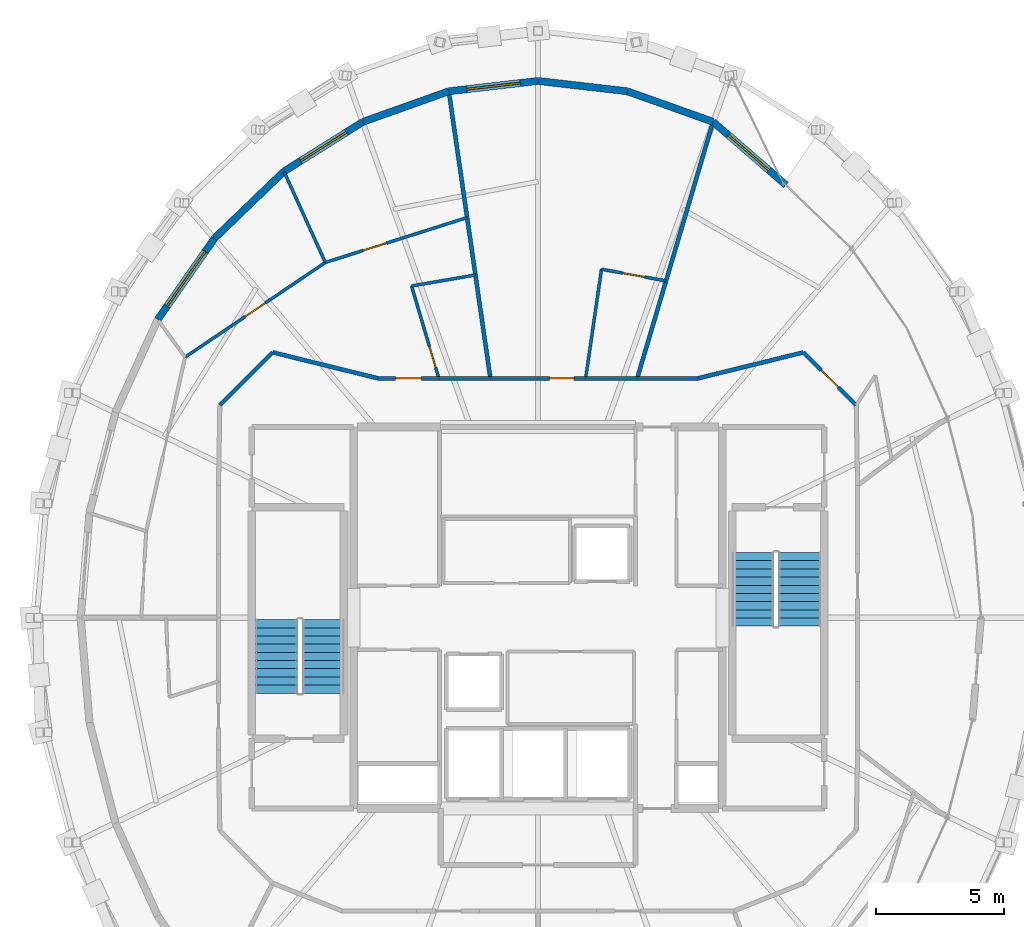
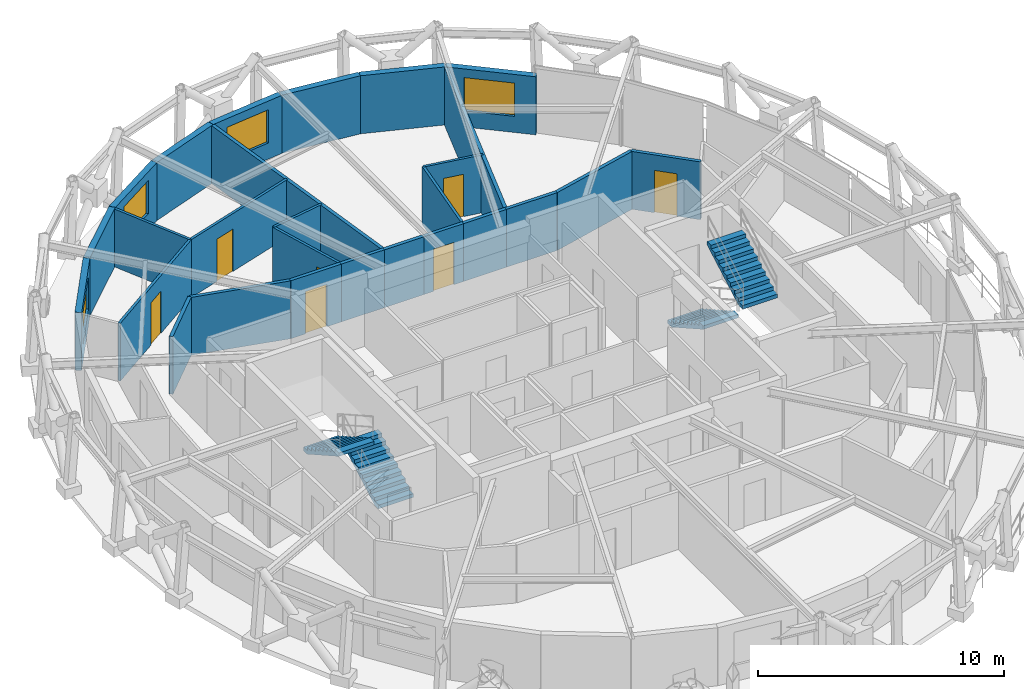
# One storey, part 14 of 15: 27 walls, 7 doors, 4 stair flights, 4 windows, 11 openings, 2 elements without a shape of their own.
"""IFC4 building model written with IfcOpenShell, lengths in metres."""

from ifc_helpers import new_model, si_unit, direction, frame, frame_2d, origin, place, context, subcontext, project, spatial, polyline, rectangle, outline, extrude, material, layer, layer_set, type_object, element, fill, aggregate, save


model = new_model("IFC4")

# Units and contexts
model_context = context("Model", 3, precision=1e-05, world=origin(), true_north=direction((0.0, 1.0)))
body_context = subcontext(model_context, "Body", "Model", "MODEL_VIEW")
ifc_project = project(units=[si_unit("LENGTHUNIT", "METRE"), si_unit("AREAUNIT", "SQUARE_METRE"), si_unit("VOLUMEUNIT", "CUBIC_METRE"), si_unit("PLANEANGLEUNIT", "RADIAN"), si_unit("MASSUNIT", "GRAM", prefix="KILO")], contexts=[model_context])

# Site, building, storey
site_placement = place(None, origin())
site = spatial("IfcSite", under=ifc_project, at=site_placement, CompositionType="ELEMENT")
building_placement = place(site_placement, origin())
building = spatial("IfcBuilding", under=site, at=building_placement, Name="Veldorina Hangang Commons", CompositionType="ELEMENT")
storey_placement = place(building_placement, frame((0.0, 0.0, 290.39990234375)))
storey = spatial("IfcBuildingStorey", under=building, at=storey_placement, Name="L76", CompositionType="ELEMENT", Elevation=290.39990234375)

# Wall, opening, window
ifc_material_1 = material(Name="Stone Roman Travertine", Category="masonry")
ifc_layer_1 = layer(ifc_material_1, 0.280029296875)
ifc_layer_set_1 = layer_set([ifc_layer_1], Name="Stone Roman Travertine")
wall_type_1 = type_object("IfcWallType", Name="EW-TRAV-280", PredefinedType="STANDARD", material=ifc_layer_set_1)
wall_1_placement = place(storey_placement, frame((41.681640625, 40.9052734375, 0.0), z_axis=(0.0, 0.0, 1.0), x_axis=(-0.756185346013, 0.654357488286, 0.0)))
wall_1 = element("IfcWall", 1, at=wall_1_placement, inside=storey, type_object=wall_type_1, Name="L76 travertine facade wall 05", PredefinedType="STANDARD", context=body_context, shape_type="SweptSolid", body=[
    extrude(rectangle(XDim=3.76416015625, YDim=0.280029296875, at=frame_2d((1.882080078125, 0.0))), origin(), (0.0, 0.0, 1.0), 2.880126953125),
])
opening_1_placement = place(wall_1_placement, frame((0.878173828125, 0.0, 0.800048828125)))
opening_1 = element("IfcOpeningElement", 2, at=opening_1_placement, cuts=wall_1, Name="Opening W-03", PredefinedType="OPENING", context=body_context, shape_type="SweptSolid", body=[
    extrude(rectangle(XDim=2.10009765625, YDim=1.64990234375, at=frame_2d((1.050048828125, 0.824951171875))), frame((0.0, 0.14990234375, 0.0), z_axis=(0.0, -1.0, 0.0), x_axis=(1.0, 0.0, 0.0)), (0.0, 0.0, 1.0), 0.300048828125),
])
ifc_material_2 = material(Name="Glass Low-E Triple IGU", Category="glass")
window_type_1 = type_object("IfcWindowType", Name="WIN-TWR-2100", PartitioningType="SINGLE_PANEL", PredefinedType="WINDOW", material=ifc_material_2)
window_1_placement = place(opening_1_placement, origin())
window_1 = element("IfcWindow", 3, at=window_1_placement, inside=storey, type_object=window_type_1, Name="L76 facade window 05", OverallHeight=1.64990234375, OverallWidth=2.10009765625, PartitioningType="SINGLE_PANEL", PredefinedType="WINDOW", context=body_context, shape_type="SweptSolid", body=[
    extrude(rectangle(XDim=2.10009765625, YDim=1.64990234375, at=frame_2d((1.050048828125, 0.824951171875))), frame((0.0, 0.030029296875, 0.0), z_axis=(0.0, -1.0, 0.0), x_axis=(1.0, 0.0, 0.0)), (0.0, 0.0, 1.0), 0.06005859375),
])
fill(opening_1, window_1)

# Walls
wall_2_placement = place(storey_placement, frame((38.835205078125, 43.368408203125, 0.0), z_axis=(0.0, 0.0, 1.0), x_axis=(-0.94207690039, 0.335396949527, 0.0)))
element("IfcWall", 4, at=wall_2_placement, inside=storey, type_object=wall_type_1, Name="L76 travertine facade wall 06", PredefinedType="STANDARD", context=body_context, shape_type="SweptSolid", body=[
    extrude(rectangle(XDim=3.556640625, YDim=0.280029296875, at=frame_2d((1.7783203125, 0.0))), origin(), (0.0, 0.0, 1.0), 2.880126953125),
])
wall_3_placement = place(storey_placement, frame((35.484619140625, 44.561279296875, 0.0), z_axis=(0.0, 0.0, 1.0), x_axis=(-0.993384223019, 0.114838083653, 0.0)))
element("IfcWall", 5, at=wall_3_placement, inside=storey, type_object=wall_type_1, Name="L76 travertine facade wall 07", PredefinedType="STANDARD", context=body_context, shape_type="SweptSolid", body=[
    extrude(rectangle(XDim=3.5078125, YDim=0.280029296875, at=frame_2d((1.75390625, 0.0))), origin(), (0.0, 0.0, 1.0), 2.880126953125),
])

# Wall, opening, window
wall_4_placement = place(storey_placement, frame((32.0, 44.964111328125, 0.0), z_axis=(0.0, 0.0, 1.0), x_axis=(-0.993384223019, -0.114838083653, 0.0)))
wall_4 = element("IfcWall", 6, at=wall_4_placement, inside=storey, type_object=wall_type_1, Name="L76 travertine facade wall 08", PredefinedType="STANDARD", context=body_context, shape_type="SweptSolid", body=[
    extrude(rectangle(XDim=3.5078125, YDim=0.280029296875, at=frame_2d((1.75390625, 0.0))), origin(), (0.0, 0.0, 1.0), 2.880126953125),
])
opening_2_placement = place(wall_4_placement, frame((0.703857421875, 0.0, 0.800048828125)))
opening_2 = element("IfcOpeningElement", 7, at=opening_2_placement, cuts=wall_4, Name="Opening W-03", PredefinedType="OPENING", context=body_context, shape_type="SweptSolid", body=[
    extrude(rectangle(XDim=2.10009765625, YDim=1.64990234375, at=frame_2d((1.050048828125, 0.824951171875))), frame((0.0, 0.14990234375, 0.0), z_axis=(0.0, -1.0, 0.0), x_axis=(1.0, 0.0, 0.0)), (0.0, 0.0, 1.0), 0.300048828125),
])
window_2_placement = place(opening_2_placement, origin())
window_2 = element("IfcWindow", 8, at=window_2_placement, inside=storey, type_object=window_type_1, Name="L76 facade window 08", OverallHeight=1.64990234375, OverallWidth=2.10009765625, PartitioningType="SINGLE_PANEL", PredefinedType="WINDOW", context=body_context, shape_type="SweptSolid", body=[
    extrude(rectangle(XDim=2.10009765625, YDim=1.64990234375, at=frame_2d((1.050048828125, 0.824951171875))), frame((0.0, 0.030029296875, 0.0), z_axis=(0.0, -1.0, 0.0), x_axis=(1.0, 0.0, 0.0)), (0.0, 0.0, 1.0), 0.06005859375),
])
fill(opening_2, window_2)

# Wall
wall_5_placement = place(storey_placement, frame((28.515380859375, 44.561279296875, 0.0), z_axis=(0.0, 0.0, 1.0), x_axis=(-0.94207690039, -0.335396949527, 0.0)))
element("IfcWall", 9, at=wall_5_placement, inside=storey, type_object=wall_type_1, Name="L76 travertine facade wall 09", PredefinedType="STANDARD", context=body_context, shape_type="SweptSolid", body=[
    extrude(rectangle(XDim=3.556640625, YDim=0.280029296875, at=frame_2d((1.7783203125, 0.0))), origin(), (0.0, 0.0, 1.0), 2.880126953125),
])

# Wall, opening, window
wall_6_placement = place(storey_placement, frame((25.164794921875, 43.368408203125, 0.0), z_axis=(0.0, 0.0, 1.0), x_axis=(-0.847094045547, -0.531443014818, 0.0)))
wall_6 = element("IfcWall", 10, at=wall_6_placement, inside=storey, type_object=wall_type_1, Name="L76 travertine facade wall 10", PredefinedType="STANDARD", context=body_context, shape_type="SweptSolid", body=[
    extrude(rectangle(XDim=3.645263671875, YDim=0.280029296875, at=frame_2d((1.82275390625, 0.0))), origin(), (0.0, 0.0, 1.0), 2.880126953125),
])
opening_3_placement = place(wall_6_placement, frame((0.772705078125, 0.0, 0.800048828125)))
opening_3 = element("IfcOpeningElement", 11, at=opening_3_placement, cuts=wall_6, Name="Opening W-03", PredefinedType="OPENING", context=body_context, shape_type="SweptSolid", body=[
    extrude(rectangle(XDim=2.10009765625, YDim=1.64990234375, at=frame_2d((1.050048828125, 0.824951171875))), frame((0.0, 0.14990234375, 0.0), z_axis=(0.0, -1.0, 0.0), x_axis=(1.0, 0.0, 0.0)), (0.0, 0.0, 1.0), 0.300048828125),
])
window_3_placement = place(opening_3_placement, origin())
window_3 = element("IfcWindow", 12, at=window_3_placement, inside=storey, type_object=window_type_1, Name="L76 facade window 10", OverallHeight=1.64990234375, OverallWidth=2.10009765625, PartitioningType="SINGLE_PANEL", PredefinedType="WINDOW", context=body_context, shape_type="SweptSolid", body=[
    extrude(rectangle(XDim=2.10009765625, YDim=1.64990234375, at=frame_2d((1.050048828125, 0.824951171875))), frame((0.0, 0.030029296875, 0.0), z_axis=(0.0, -1.0, 0.0), x_axis=(1.0, 0.0, 0.0)), (0.0, 0.0, 1.0), 0.06005859375),
])
fill(opening_3, window_3)

# Wall
wall_7_placement = place(storey_placement, frame((22.076904296875, 41.43115234375, 0.0), z_axis=(0.0, 0.0, 1.0), x_axis=(-0.720234855693, -0.693730316943, 0.0)))
element("IfcWall", 13, at=wall_7_placement, inside=storey, type_object=wall_type_1, Name="L76 travertine facade wall 11", PredefinedType="STANDARD", context=body_context, shape_type="SweptSolid", body=[
    extrude(rectangle(XDim=3.75830078125, YDim=0.280029296875, at=frame_2d((1.879150390625, 0.0))), origin(), (0.0, 0.0, 1.0), 2.880126953125),
])

# Wall, opening, window
wall_8_placement = place(storey_placement, frame((19.3701171875, 38.823974609375, 0.0), z_axis=(0.0, 0.0, 1.0), x_axis=(-0.573022646369, -0.819539533365, 0.0)))
wall_8 = element("IfcWall", 14, at=wall_8_placement, inside=storey, type_object=wall_type_1, Name="L76 travertine facade wall 12", PredefinedType="STANDARD", context=body_context, shape_type="SweptSolid", body=[
    extrude(rectangle(XDim=3.876220703125, YDim=0.280029296875, at=frame_2d((1.93798828125, 0.0))), origin(), (0.0, 0.0, 1.0), 2.880126953125),
])
opening_4_placement = place(wall_8_placement, frame((0.63818359375, 0.0, 0.800048828125)))
opening_4 = element("IfcOpeningElement", 15, at=opening_4_placement, cuts=wall_8, Name="Opening W-02", PredefinedType="OPENING", context=body_context, shape_type="SweptSolid", body=[
    extrude(rectangle(XDim=2.60009765625, YDim=1.64990234375, at=frame_2d((1.300048828125, 0.824951171875))), frame((0.0, 0.14990234375, 0.0), z_axis=(0.0, -1.0, 0.0), x_axis=(1.0, 0.0, 0.0)), (0.0, 0.0, 1.0), 0.300048828125),
])
window_type_2 = type_object("IfcWindowType", Name="WIN-TWR-2600", PartitioningType="SINGLE_PANEL", PredefinedType="WINDOW", material=ifc_material_2)
window_4_placement = place(opening_4_placement, origin())
window_4 = element("IfcWindow", 16, at=window_4_placement, inside=storey, type_object=window_type_2, Name="L76 facade window 12", OverallHeight=1.64990234375, OverallWidth=2.60009765625, PartitioningType="SINGLE_PANEL", PredefinedType="WINDOW", context=body_context, shape_type="SweptSolid", body=[
    extrude(rectangle(XDim=2.60009765625, YDim=1.64990234375, at=frame_2d((1.300048828125, 0.824951171875))), frame((0.0, 0.030029296875, 0.0), z_axis=(0.0, -1.0, 0.0), x_axis=(1.0, 0.0, 0.0)), (0.0, 0.0, 1.0), 0.06005859375),
])
fill(opening_4, window_4)

# Wall, opening, door
ifc_material_3 = material(Name="Gypsum Fire-Rated Twin Stud Wall", Category="gypsum")
ifc_layer_2 = layer(ifc_material_3, 0.159912109375)
ifc_layer_set_2 = layer_set([ifc_layer_2], Name="Gypsum Fire-Rated Twin Stud Wall")
wall_type_2 = type_object("IfcWallType", Name="WL-FIRE-160", PredefinedType="SOLIDWALL", material=ifc_layer_set_2)
wall_9_placement = place(storey_placement, frame((44.4267578125, 32.30322265625, 0.0), z_axis=(0.0, 0.0, 1.0), x_axis=(-0.707106781187, 0.707106781187, 0.0)))
wall_9 = element("IfcWall", 17, at=wall_9_placement, inside=storey, type_object=wall_type_2, Name="L76 Compact collar outer wall 03 053", PredefinedType="SOLIDWALL", context=body_context, shape_type="SweptSolid", body=[
    extrude(rectangle(XDim=2.915771484375, YDim=0.159912109375, at=frame_2d((1.4580078125, 0.0))), origin(), (0.0, 0.0, 1.0), 2.8701171875),
])
opening_5_placement = place(wall_9_placement, frame((0.98291015625, 0.0, 0.0)))
opening_5 = element("IfcOpeningElement", 18, at=opening_5_placement, cuts=wall_9, Name="Opening D-03", PredefinedType="OPENING", context=body_context, shape_type="SweptSolid", body=[
    extrude(rectangle(XDim=0.949951171875, YDim=2.10009765625, at=frame_2d((0.47509765625, 1.050048828125))), frame((0.0, 0.08984375, 0.0), z_axis=(0.0, -1.0, 0.0), x_axis=(1.0, 0.0, 0.0)), (0.0, 0.0, 1.0), 0.179931640625),
])
ifc_material_4 = material(Name="Timber Fire-Rated Entrance Core", Category="wood")
door_type_1 = type_object("IfcDoorType", Name="DR-UNIT-950", OperationType="SINGLE_SWING_RIGHT", PredefinedType="DOOR", material=ifc_material_4)
door_1_placement = place(opening_5_placement, origin())
door_1 = element("IfcDoor", 19, at=door_1_placement, inside=storey, type_object=door_type_1, Name="L76 Studio 2 entrance door 020", OperationType="SINGLE_SWING_RIGHT", OverallHeight=2.10009765625, OverallWidth=0.949951171875, PredefinedType="DOOR", context=body_context, shape_type="SweptSolid", body=[
    extrude(rectangle(XDim=0.949951171875, YDim=2.10009765625, at=frame_2d((0.47509765625, 1.050048828125))), frame((0.0, 0.02490234375, 0.0), z_axis=(0.0, -1.0, 0.0), x_axis=(1.0, 0.0, 0.0)), (0.0, 0.0, 1.0), 0.050048828125),
])
fill(opening_5, door_1)

# Walls
wall_10_placement = place(storey_placement, frame((42.364990234375, 34.364990234375, 0.0), z_axis=(0.0, 0.0, 1.0), x_axis=(-0.970939799552, -0.239323850978, 0.0)))
element("IfcWall", 20, at=wall_10_placement, inside=storey, type_object=wall_type_2, Name="L76 Compact collar outer wall 04 054", PredefinedType="SOLIDWALL", context=body_context, shape_type="SweptSolid", body=[
    extrude(rectangle(XDim=4.24072265625, YDim=0.159912109375, at=frame_2d((2.120361328125, 0.0))), origin(), (0.0, 0.0, 1.0), 2.8701171875),
])
wall_11_placement = place(storey_placement, frame((38.24755859375, 33.35009765625, 0.0), z_axis=(0.0, 0.0, 1.0), x_axis=(-1.0, 0.0, 0.0)))
element("IfcWall", 21, at=wall_11_placement, inside=storey, type_object=wall_type_2, Name="L76 Compact collar outer wall 05 055", PredefinedType="SOLIDWALL", context=body_context, shape_type="SweptSolid", body=[
    extrude(rectangle(XDim=2.374755859375, YDim=0.159912109375, at=frame_2d((1.1875, 0.0))), origin(), (0.0, 0.0, 1.0), 2.8701171875),
])
wall_12_placement = place(storey_placement, frame((35.872802734375, 33.35009765625, 0.0), z_axis=(0.0, 0.0, 1.0), x_axis=(-1.0, 0.0, 0.0)))
element("IfcWall", 22, at=wall_12_placement, inside=storey, type_object=wall_type_2, Name="L76 Compact collar outer wall 06 056", PredefinedType="SOLIDWALL", context=body_context, shape_type="SweptSolid", body=[
    extrude(rectangle(XDim=2.012939453125, YDim=0.159912109375, at=frame_2d((1.00634765625, 0.0))), origin(), (0.0, 0.0, 1.0), 2.8701171875),
])

# Wall, opening, door
wall_13_placement = place(storey_placement, frame((33.85986328125, 33.35009765625, 0.0), z_axis=(0.0, 0.0, 1.0), x_axis=(-1.0, 0.0, 0.0)))
wall_13 = element("IfcWall", 23, at=wall_13_placement, inside=storey, type_object=wall_type_2, Name="L76 Compact collar outer wall 07 057", PredefinedType="SOLIDWALL", context=body_context, shape_type="SweptSolid", body=[
    extrude(rectangle(XDim=1.85986328125, YDim=0.159912109375, at=frame_2d((0.929931640625, 0.0))), origin(), (0.0, 0.0, 1.0), 2.8701171875),
])
opening_6_placement = place(wall_13_placement, frame((0.454833984375, 0.0, 0.0)))
opening_6 = element("IfcOpeningElement", 24, at=opening_6_placement, cuts=wall_13, Name="Opening D-03", PredefinedType="OPENING", context=body_context, shape_type="SweptSolid", body=[
    extrude(rectangle(XDim=0.949951171875, YDim=2.10009765625, at=frame_2d((0.47509765625, 1.050048828125))), frame((0.0, 0.08984375, 0.0), z_axis=(0.0, -1.0, 0.0), x_axis=(1.0, 0.0, 0.0)), (0.0, 0.0, 1.0), 0.179931640625),
])
door_2_placement = place(opening_6_placement, origin())
door_2 = element("IfcDoor", 25, at=door_2_placement, inside=storey, type_object=door_type_1, Name="L76 Studio 3 entrance door 022", OperationType="SINGLE_SWING_RIGHT", OverallHeight=2.10009765625, OverallWidth=0.949951171875, PredefinedType="DOOR", context=body_context, shape_type="SweptSolid", body=[
    extrude(rectangle(XDim=0.949951171875, YDim=2.10009765625, at=frame_2d((0.47509765625, 1.050048828125))), frame((0.0, 0.02490234375, 0.0), z_axis=(0.0, -1.0, 0.0), x_axis=(1.0, 0.0, 0.0)), (0.0, 0.0, 1.0), 0.050048828125),
])
fill(opening_6, door_2)

# Walls
wall_14_placement = place(storey_placement, frame((32.0, 33.35009765625, 0.0), z_axis=(0.0, 0.0, 1.0), x_axis=(-1.0, 0.0, 0.0)))
element("IfcWall", 26, at=wall_14_placement, inside=storey, type_object=wall_type_2, Name="L76 Compact collar outer wall 08 058", PredefinedType="SOLIDWALL", context=body_context, shape_type="SweptSolid", body=[
    extrude(rectangle(XDim=1.85986328125, YDim=0.159912109375, at=frame_2d((0.929931640625, 0.0))), origin(), (0.0, 0.0, 1.0), 2.8701171875),
])
wall_15_placement = place(storey_placement, frame((30.14013671875, 33.35009765625, 0.0), z_axis=(0.0, 0.0, 1.0), x_axis=(-1.0, 0.0, 0.0)))
element("IfcWall", 27, at=wall_15_placement, inside=storey, type_object=wall_type_2, Name="L76 Compact collar outer wall 09 059", PredefinedType="SOLIDWALL", context=body_context, shape_type="SweptSolid", body=[
    extrude(rectangle(XDim=2.012939453125, YDim=0.159912109375, at=frame_2d((1.00634765625, 0.0))), origin(), (0.0, 0.0, 1.0), 2.8701171875),
])

# Wall, opening, door
wall_16_placement = place(storey_placement, frame((28.127197265625, 33.35009765625, 0.0), z_axis=(0.0, 0.0, 1.0), x_axis=(-1.0, 0.0, 0.0)))
wall_16 = element("IfcWall", 28, at=wall_16_placement, inside=storey, type_object=wall_type_2, Name="L76 Compact collar outer wall 10 060", PredefinedType="SOLIDWALL", context=body_context, shape_type="SweptSolid", body=[
    extrude(rectangle(XDim=2.374755859375, YDim=0.159912109375, at=frame_2d((1.1875, 0.0))), origin(), (0.0, 0.0, 1.0), 2.8701171875),
])
opening_7_placement = place(wall_16_placement, frame((0.687255859375, 0.0, 0.0)))
opening_7 = element("IfcOpeningElement", 29, at=opening_7_placement, cuts=wall_16, Name="Opening D-06", PredefinedType="OPENING", context=body_context, shape_type="SweptSolid", body=[
    extrude(rectangle(XDim=1.0, YDim=2.10009765625, at=frame_2d((0.5, 1.050048828125))), frame((0.0, 0.08984375, 0.0), z_axis=(0.0, -1.0, 0.0), x_axis=(1.0, 0.0, 0.0)), (0.0, 0.0, 1.0), 0.179931640625),
])
door_type_2 = type_object("IfcDoorType", Name="DR-UNIT-1000", OperationType="SINGLE_SWING_LEFT", PredefinedType="DOOR", material=ifc_material_4)
door_3_placement = place(opening_7_placement, origin())
door_3 = element("IfcDoor", 30, at=door_3_placement, inside=storey, type_object=door_type_2, Name="L76 Cluster 4 entrance door 024", OperationType="SINGLE_SWING_RIGHT", OverallHeight=2.10009765625, OverallWidth=1.0, PredefinedType="DOOR", context=body_context, shape_type="SweptSolid", body=[
    extrude(rectangle(XDim=1.0, YDim=2.10009765625, at=frame_2d((0.5, 1.050048828125))), frame((0.0, 0.02490234375, 0.0), z_axis=(0.0, -1.0, 0.0), x_axis=(1.0, 0.0, 0.0)), (0.0, 0.0, 1.0), 0.050048828125),
])
fill(opening_7, door_3)

# Walls
wall_17_placement = place(storey_placement, frame((25.75244140625, 33.35009765625, 0.0), z_axis=(0.0, 0.0, 1.0), x_axis=(-0.970939799552, 0.239323850978, 0.0)))
element("IfcWall", 31, at=wall_17_placement, inside=storey, type_object=wall_type_2, Name="L76 Compact collar outer wall 11 061", PredefinedType="SOLIDWALL", context=body_context, shape_type="SweptSolid", body=[
    extrude(rectangle(XDim=4.24072265625, YDim=0.159912109375, at=frame_2d((2.120361328125, 0.0))), origin(), (0.0, 0.0, 1.0), 2.8701171875),
])
wall_18_placement = place(storey_placement, frame((21.635009765625, 34.364990234375, 0.0), z_axis=(0.0, 0.0, 1.0), x_axis=(-0.707106781187, -0.707106781187, 0.0)))
element("IfcWall", 32, at=wall_18_placement, inside=storey, type_object=wall_type_2, Name="L76 Compact collar outer wall 12 062", PredefinedType="SOLIDWALL", context=body_context, shape_type="SweptSolid", body=[
    extrude(rectangle(XDim=2.915771484375, YDim=0.159912109375, at=frame_2d((1.4580078125, 0.0))), origin(), (0.0, 0.0, 1.0), 2.8701171875),
])
wall_19_placement = place(storey_placement, frame((35.872802734375, 33.35009765625, 0.0), z_axis=(0.0, 0.0, 1.0), x_axis=(0.283560622835, 0.958954312351, 0.0)))
element("IfcWall", 33, at=wall_19_placement, inside=storey, type_object=wall_type_2, Name="L76 Unit party wall 06 086", PredefinedType="SOLIDWALL", context=body_context, shape_type="SweptSolid", body=[
    extrude(rectangle(XDim=10.397216796875, YDim=0.159912109375, at=frame_2d((5.19873046875, 0.0))), origin(), (0.0, 0.0, 1.0), 2.8701171875),
])
wall_20_placement = place(storey_placement, frame((30.14013671875, 33.35009765625, 0.0), z_axis=(0.0, 0.0, 1.0), x_axis=(-0.143409100009, 0.989663493332, 0.0)))
element("IfcWall", 34, at=wall_20_placement, inside=storey, type_object=wall_type_2, Name="L76 Unit party wall 09 089", PredefinedType="SOLIDWALL", context=body_context, shape_type="SweptSolid", body=[
    extrude(rectangle(XDim=11.278564453125, YDim=0.159912109375, at=frame_2d((5.63916015625, 0.0))), origin(), (0.0, 0.0, 1.0), 2.8701171875),
])

# Wall, opening, door
ifc_material_5 = material(Name="Gypsum Acoustic Stud Partition", Category="gypsum")
ifc_layer_3 = layer(ifc_material_5, 0.1201171875)
ifc_layer_set_3 = layer_set([ifc_layer_3], Name="Gypsum Acoustic Stud Partition")
wall_type_3 = type_object("IfcWallType", Name="WL-PART-120", PredefinedType="PARTITIONING", material=ifc_layer_set_3)
wall_21_placement = place(storey_placement, frame((36.99853515625, 37.156982421875, 0.0), z_axis=(0.0, 0.0, 1.0), x_axis=(-0.984214215715, 0.176981291622, 0.0)))
wall_21 = element("IfcWall", 35, at=wall_21_placement, inside=storey, type_object=wall_type_3, Name="L76 Studio 3 bath front wall 087", PredefinedType="PARTITIONING", context=body_context, shape_type="SweptSolid", body=[
    extrude(rectangle(XDim=2.561767578125, YDim=0.1201171875, at=frame_2d((1.28076171875, 0.0))), origin(), (0.0, 0.0, 1.0), 2.8701171875),
])
opening_8_placement = place(wall_21_placement, frame((0.850830078125, 0.0, 0.0)))
opening_8 = element("IfcOpeningElement", 36, at=opening_8_placement, cuts=wall_21, Name="Opening D-01", PredefinedType="OPENING", context=body_context, shape_type="SweptSolid", body=[
    extrude(rectangle(XDim=0.860107421875, YDim=2.10009765625, at=frame_2d((0.43017578125, 1.050048828125))), frame((0.0, 0.070068359375, 0.0), z_axis=(0.0, -1.0, 0.0), x_axis=(1.0, 0.0, 0.0)), (0.0, 0.0, 1.0), 0.14013671875),
])
ifc_material_6 = material(Name="Timber Moisture-Resistant Core", Category="wood")
door_type_3 = type_object("IfcDoorType", Name="DR-WET-860", OperationType="SINGLE_SWING_LEFT", PredefinedType="DOOR", material=ifc_material_6)
door_4_placement = place(opening_8_placement, origin())
door_4 = element("IfcDoor", 37, at=door_4_placement, inside=storey, type_object=door_type_3, Name="L76 Studio 3 bathroom door 021", OperationType="SINGLE_SWING_LEFT", OverallHeight=2.10009765625, OverallWidth=0.860107421875, PredefinedType="DOOR", context=body_context, shape_type="SweptSolid", body=[
    extrude(rectangle(XDim=0.860107421875, YDim=2.10009765625, at=frame_2d((0.43017578125, 1.050048828125))), frame((0.0, 0.02490234375, 0.0), z_axis=(0.0, -1.0, 0.0), x_axis=(1.0, 0.0, 0.0)), (0.0, 0.0, 1.0), 0.050048828125),
])
fill(opening_8, door_4)

# Walls
wall_22_placement = place(storey_placement, frame((33.85986328125, 33.35009765625, 0.0), z_axis=(0.0, 0.0, 1.0), x_axis=(0.143429877353, 0.989660482328, 0.0)))
element("IfcWall", 38, at=wall_22_placement, inside=storey, type_object=wall_type_3, Name="L76 Studio 3 bath side wall 088", PredefinedType="PARTITIONING", context=body_context, shape_type="SweptSolid", body=[
    extrude(rectangle(XDim=4.3046875, YDim=0.1201171875, at=frame_2d((2.15234375, 0.0))), origin(), (0.0, 0.0, 1.0), 2.8701171875),
])
wall_23_placement = place(storey_placement, frame((29.555419921875, 37.385986328125, 0.0), z_axis=(0.0, 0.0, 1.0), x_axis=(-0.985504074512, -0.169651758374, 0.0)))
element("IfcWall", 39, at=wall_23_placement, inside=storey, type_object=wall_type_3, Name="L76 Cluster 4 bath front wall 090", PredefinedType="PARTITIONING", context=body_context, shape_type="SweptSolid", body=[
    extrude(rectangle(XDim=2.53125, YDim=0.1201171875, at=frame_2d((1.265625, 0.0))), origin(), (0.0, 0.0, 1.0), 2.8701171875),
])

# Wall, opening, door
wall_24_placement = place(storey_placement, frame((28.127197265625, 33.35009765625, 0.0), z_axis=(0.0, 0.0, 1.0), x_axis=(-0.283557816231, 0.958955142253, 0.0)))
wall_24 = element("IfcWall", 40, at=wall_24_placement, inside=storey, type_object=wall_type_3, Name="L76 Cluster 4 bath side wall 091", PredefinedType="PARTITIONING", context=body_context, shape_type="SweptSolid", body=[
    extrude(rectangle(XDim=3.7607421875, YDim=0.1201171875, at=frame_2d((1.88037109375, 0.0))), origin(), (0.0, 0.0, 1.0), 2.8701171875),
])
opening_9_placement = place(wall_24_placement, frame((0.43994140625, 0.0, 0.0)))
opening_9 = element("IfcOpeningElement", 41, at=opening_9_placement, cuts=wall_24, Name="Opening D-01", PredefinedType="OPENING", context=body_context, shape_type="SweptSolid", body=[
    extrude(rectangle(XDim=0.860107421875, YDim=2.10009765625, at=frame_2d((0.43017578125, 1.050048828125))), frame((0.0, 0.070068359375, 0.0), z_axis=(0.0, -1.0, 0.0), x_axis=(1.0, 0.0, 0.0)), (0.0, 0.0, 1.0), 0.14013671875),
])
door_5_placement = place(opening_9_placement, origin())
door_5 = element("IfcDoor", 42, at=door_5_placement, inside=storey, type_object=door_type_3, Name="L76 Cluster 4 shared bathroom door 023", OperationType="SINGLE_SWING_LEFT", OverallHeight=2.10009765625, OverallWidth=0.860107421875, PredefinedType="DOOR", context=body_context, shape_type="SweptSolid", body=[
    extrude(rectangle(XDim=0.860107421875, YDim=2.10009765625, at=frame_2d((0.43017578125, 1.050048828125))), frame((0.0, 0.02490234375, 0.0), z_axis=(0.0, -1.0, 0.0), x_axis=(1.0, 0.0, 0.0)), (0.0, 0.0, 1.0), 0.050048828125),
])
fill(opening_9, door_5)

wall_25_placement = place(storey_placement, frame((29.230224609375, 39.62841796875, 0.0), z_axis=(0.0, 0.0, 1.0), x_axis=(-0.953351098294, -0.301863683443, 0.0)))
wall_25 = element("IfcWall", 43, at=wall_25_placement, inside=storey, type_object=wall_type_3, Name="L76 Cluster 4 bed 1 front wall 092", PredefinedType="PARTITIONING", context=body_context, shape_type="SweptSolid", body=[
    extrude(rectangle(XDim=5.80712890625, YDim=0.1201171875, at=frame_2d((2.903564453125, 0.0))), origin(), (0.0, 0.0, 1.0), 2.8701171875),
])
opening_10_placement = place(wall_25_placement, frame((3.303466796875, 0.0, 0.0)))
opening_10 = element("IfcOpeningElement", 44, at=opening_10_placement, cuts=wall_25, Name="Opening D-02", PredefinedType="OPENING", context=body_context, shape_type="SweptSolid", body=[
    extrude(rectangle(XDim=0.949951171875, YDim=2.10009765625, at=frame_2d((0.47509765625, 1.050048828125))), frame((0.0, 0.070068359375, 0.0), z_axis=(0.0, -1.0, 0.0), x_axis=(1.0, 0.0, 0.0)), (0.0, 0.0, 1.0), 0.14013671875),
])
ifc_material_7 = material(Name="Timber Solid Core Acoustic", Category="wood")
door_type_4 = type_object("IfcDoorType", Name="DR-INT-950", OperationType="SINGLE_SWING_LEFT", PredefinedType="DOOR", material=ifc_material_7)
door_6_placement = place(opening_10_placement, origin())
door_6 = element("IfcDoor", 45, at=door_6_placement, inside=storey, type_object=door_type_4, Name="L76 Cluster 4 bed 1 door 025", OperationType="SINGLE_SWING_LEFT", OverallHeight=2.10009765625, OverallWidth=0.949951171875, PredefinedType="DOOR", context=body_context, shape_type="SweptSolid", body=[
    extrude(rectangle(XDim=0.949951171875, YDim=2.10009765625, at=frame_2d((0.47509765625, 1.050048828125))), frame((0.0, 0.02490234375, 0.0), z_axis=(0.0, -1.0, 0.0), x_axis=(1.0, 0.0, 0.0)), (0.0, 0.0, 1.0), 0.050048828125),
])
fill(opening_10, door_6)

wall_26_placement = place(storey_placement, frame((23.694091796875, 37.87548828125, 0.0), z_axis=(0.0, 0.0, 1.0), x_axis=(-0.82872877639, -0.55965044017, 0.0)))
wall_26 = element("IfcWall", 46, at=wall_26_placement, inside=storey, type_object=wall_type_3, Name="L76 Cluster 4 bed 2 front wall 093", PredefinedType="PARTITIONING", context=body_context, shape_type="SweptSolid", body=[
    extrude(rectangle(XDim=6.61083984375, YDim=0.1201171875, at=frame_2d((3.305419921875, 0.0))), origin(), (0.0, 0.0, 1.0), 2.8701171875),
])
opening_11_placement = place(wall_26_placement, frame((2.830322265625, 0.0, 0.0)))
opening_11 = element("IfcOpeningElement", 47, at=opening_11_placement, cuts=wall_26, Name="Opening D-02", PredefinedType="OPENING", context=body_context, shape_type="SweptSolid", body=[
    extrude(rectangle(XDim=0.949951171875, YDim=2.10009765625, at=frame_2d((0.47509765625, 1.050048828125))), frame((0.0, 0.070068359375, 0.0), z_axis=(0.0, -1.0, 0.0), x_axis=(1.0, 0.0, 0.0)), (0.0, 0.0, 1.0), 0.14013671875),
])
door_7_placement = place(opening_11_placement, origin())
door_7 = element("IfcDoor", 48, at=door_7_placement, inside=storey, type_object=door_type_4, Name="L76 Cluster 4 bed 2 door 026", OperationType="SINGLE_SWING_RIGHT", OverallHeight=2.10009765625, OverallWidth=0.949951171875, PredefinedType="DOOR", context=body_context, shape_type="SweptSolid", body=[
    extrude(rectangle(XDim=0.949951171875, YDim=2.10009765625, at=frame_2d((0.47509765625, 1.050048828125))), frame((0.0, 0.02490234375, 0.0), z_axis=(0.0, -1.0, 0.0), x_axis=(1.0, 0.0, 0.0)), (0.0, 0.0, 1.0), 0.050048828125),
])
fill(opening_11, door_7)

# Wall
wall_27_placement = place(storey_placement, frame((23.694091796875, 37.87548828125, 0.0), z_axis=(0.0, 0.0, 1.0), x_axis=(-0.414065284682, 0.91024718622, 0.0)))
element("IfcWall", 49, at=wall_27_placement, inside=storey, type_object=wall_type_3, Name="L76 Cluster 4 bed divider 1 094", PredefinedType="PARTITIONING", context=body_context, shape_type="SweptSolid", body=[
    extrude(rectangle(XDim=3.856201171875, YDim=0.1201171875, at=frame_2d((1.92822265625, 0.0))), origin(), (0.0, 0.0, 1.0), 2.8701171875),
])

# Stair, stair flights
ifc_material_8 = material(Name="Concrete C40/50", Category="concrete")
stair_type = type_object("IfcStairType", Name="STR-DOG-1650-20R", PredefinedType="HALF_TURN_STAIR", material=ifc_material_8)
stair_1_placement = place(storey_placement, origin())
stair_1 = element("IfcStair", 50, at=stair_1_placement, inside=storey, type_object=stair_type, Name="L76 Exit stair ST-1", PredefinedType="HALF_TURN_STAIR")
stair_flight_type = type_object("IfcStairFlightType", Name="SFL-STR-1650-20R", PredefinedType="STRAIGHT", material=ifc_material_8)
stair_flight_1_placement = place(storey_placement, frame((23.625, 21.050048828125, 0.0), z_axis=(0.0, 0.0, 1.0), x_axis=(0.0, 1.0, 0.0)))
stair_flight_1 = element("IfcStairFlight", 51, at=stair_flight_1_placement, type_object=stair_flight_type, Name="ST-1 flight 1", NumberOfRisers=10, NumberOfTreads=9, PredefinedType="STRAIGHT", RiserHeight=0.18, TreadLength=0.32, context=body_context, shape_type="SweptSolid", body=[
    extrude(outline(polyline([(0.0, 0.0), (0.0, 0.179931640625), (0.320068359375, 0.179931640625), (0.320068359375, 0.360107421875), (0.639892578125, 0.360107421875), (0.639892578125, 0.5400390625), (0.9599609375, 0.5400390625), (0.9599609375, 0.719970703125), (1.280029296875, 0.719970703125), (1.280029296875, 0.89990234375), (1.60009765625, 0.89990234375), (1.60009765625, 1.080078125), (1.919921875, 1.080078125), (1.919921875, 1.260009765625), (2.239990234375, 1.260009765625), (2.239990234375, 1.43994140625), (2.56005859375, 1.43994140625), (2.56005859375, 1.6201171875), (2.8798828125, 1.6201171875), (2.8798828125, 1.800048828125), (2.8798828125, 1.447998046875), (0.3056640625, 0.0), (0.0, 0.0)])), frame((0.0, 0.824951171875, 0.0), z_axis=(0.0, -1.0, 0.0), x_axis=(1.0, 0.0, 0.0)), (0.0, 0.0, 1.0), 1.64990234375),
])
stair_flight_2_placement = place(storey_placement, frame((21.77490234375, 23.929931640625, 1.800048828125), z_axis=(0.0, 0.0, 1.0), x_axis=(0.0, -1.0, 0.0)))
stair_flight_2 = element("IfcStairFlight", 52, at=stair_flight_2_placement, type_object=stair_flight_type, Name="ST-1 flight 2", NumberOfRisers=10, NumberOfTreads=9, PredefinedType="STRAIGHT", RiserHeight=0.18, TreadLength=0.32, context=body_context, shape_type="SweptSolid", body=[
    extrude(outline(polyline([(0.0, 0.0), (0.0, 0.179931640625), (0.320068359375, 0.179931640625), (0.320068359375, 0.360107421875), (0.639892578125, 0.360107421875), (0.639892578125, 0.5400390625), (0.9599609375, 0.5400390625), (0.9599609375, 0.719970703125), (1.280029296875, 0.719970703125), (1.280029296875, 0.89990234375), (1.60009765625, 0.89990234375), (1.60009765625, 1.080078125), (1.919921875, 1.080078125), (1.919921875, 1.260009765625), (2.239990234375, 1.260009765625), (2.239990234375, 1.43994140625), (2.56005859375, 1.43994140625), (2.56005859375, 1.6201171875), (2.8798828125, 1.6201171875), (2.8798828125, 1.800048828125), (2.8798828125, 1.447998046875), (0.3056640625, 0.0), (0.0, 0.0)])), frame((0.0, 0.824951171875, 0.0), z_axis=(0.0, -1.0, 0.0), x_axis=(1.0, 0.0, 0.0)), (0.0, 0.0, 1.0), 1.64990234375),
])
aggregate(stair_1, [stair_flight_1, stair_flight_2])

stair_2_placement = place(storey_placement, origin())
stair_2 = element("IfcStair", 53, at=stair_2_placement, inside=storey, type_object=stair_type, Name="L76 Exit stair ST-2", PredefinedType="HALF_TURN_STAIR")
stair_flight_3_placement = place(storey_placement, frame((40.375, 26.550048828125, 0.0), z_axis=(0.0, 0.0, 1.0), x_axis=(0.0, -1.0, 0.0)))
stair_flight_3 = element("IfcStairFlight", 54, at=stair_flight_3_placement, type_object=stair_flight_type, Name="ST-2 flight 1", NumberOfRisers=10, NumberOfTreads=9, PredefinedType="STRAIGHT", RiserHeight=0.18, TreadLength=0.32, context=body_context, shape_type="SweptSolid", body=[
    extrude(outline(polyline([(0.0, 0.0), (0.0, 0.179931640625), (0.320068359375, 0.179931640625), (0.320068359375, 0.360107421875), (0.639892578125, 0.360107421875), (0.639892578125, 0.5400390625), (0.9599609375, 0.5400390625), (0.9599609375, 0.719970703125), (1.280029296875, 0.719970703125), (1.280029296875, 0.89990234375), (1.60009765625, 0.89990234375), (1.60009765625, 1.080078125), (1.919921875, 1.080078125), (1.919921875, 1.260009765625), (2.239990234375, 1.260009765625), (2.239990234375, 1.43994140625), (2.56005859375, 1.43994140625), (2.56005859375, 1.6201171875), (2.8798828125, 1.6201171875), (2.8798828125, 1.800048828125), (2.8798828125, 1.447998046875), (0.3056640625, 0.0), (0.0, 0.0)])), frame((0.0, 0.824951171875, 0.0), z_axis=(0.0, -1.0, 0.0), x_axis=(1.0, 0.0, 0.0)), (0.0, 0.0, 1.0), 1.64990234375),
])
stair_flight_4_placement = place(storey_placement, frame((42.22509765625, 23.669921875, 1.800048828125), z_axis=(0.0, 0.0, 1.0), x_axis=(0.0, 1.0, 0.0)))
stair_flight_4 = element("IfcStairFlight", 55, at=stair_flight_4_placement, type_object=stair_flight_type, Name="ST-2 flight 2", NumberOfRisers=10, NumberOfTreads=9, PredefinedType="STRAIGHT", RiserHeight=0.18, TreadLength=0.32, context=body_context, shape_type="SweptSolid", body=[
    extrude(outline(polyline([(0.0, 0.0), (0.0, 0.179931640625), (0.320068359375, 0.179931640625), (0.320068359375, 0.360107421875), (0.639892578125, 0.360107421875), (0.639892578125, 0.5400390625), (0.9599609375, 0.5400390625), (0.9599609375, 0.719970703125), (1.280029296875, 0.719970703125), (1.280029296875, 0.89990234375), (1.60009765625, 0.89990234375), (1.60009765625, 1.080078125), (1.919921875, 1.080078125), (1.919921875, 1.260009765625), (2.239990234375, 1.260009765625), (2.239990234375, 1.43994140625), (2.56005859375, 1.43994140625), (2.56005859375, 1.6201171875), (2.8798828125, 1.6201171875), (2.8798828125, 1.800048828125), (2.8798828125, 1.447998046875), (0.3056640625, 0.0), (0.0, 0.0)])), frame((0.0, 0.824951171875, 0.0), z_axis=(0.0, -1.0, 0.0), x_axis=(1.0, 0.0, 0.0)), (0.0, 0.0, 1.0), 1.64990234375),
])
aggregate(stair_2, [stair_flight_3, stair_flight_4])

save(model, "model.ifc")
